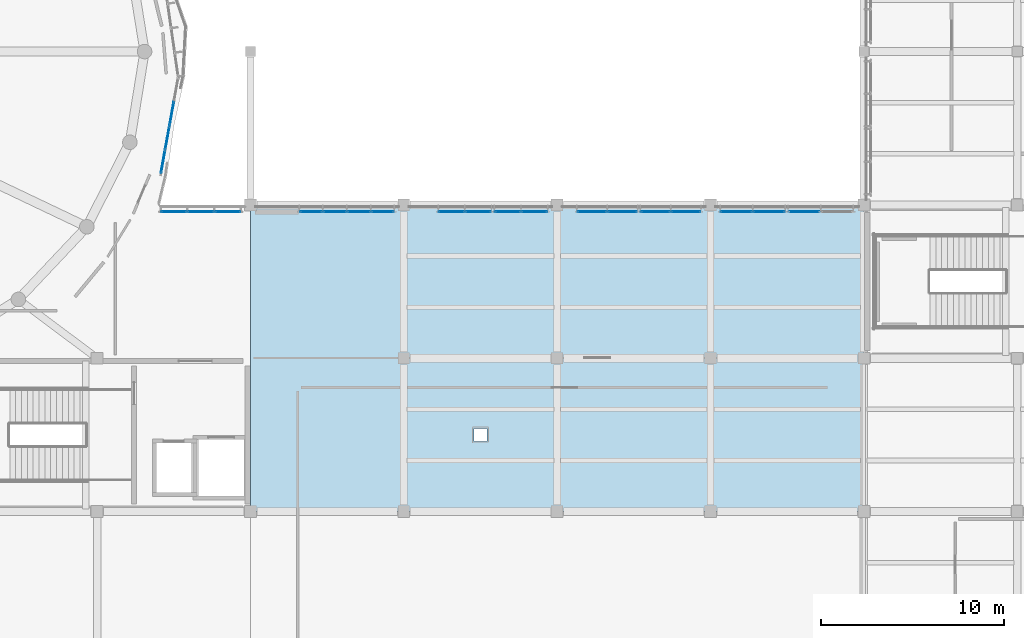
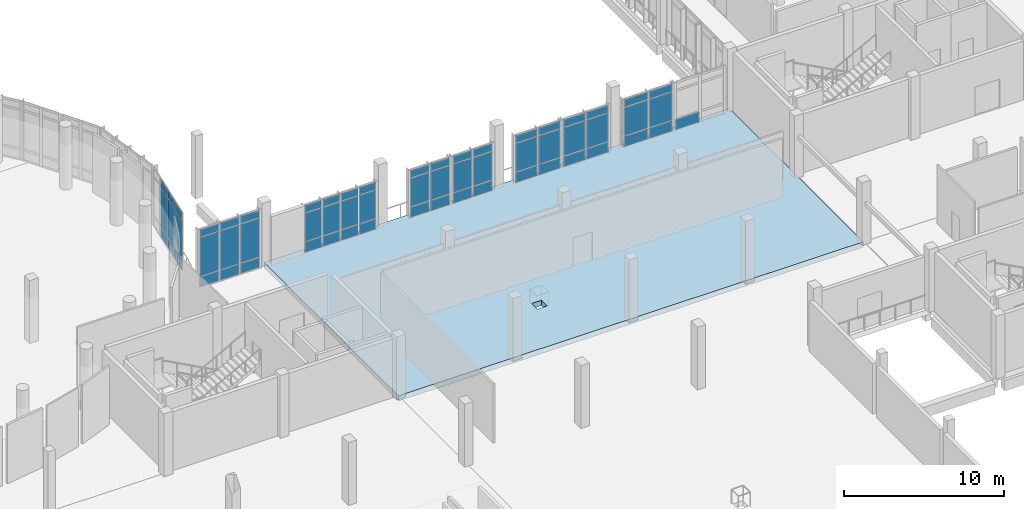
# One storey, part 34 of 63: 61 plates, 1 slab, 9 elements without a shape of their own.
"""IFC4 building model written with IfcOpenShell, lengths in metres."""

from ifc_helpers import new_model, si_unit, derived_unit, direction, frame, origin, origin_2d, place, context, subcontext, project, spatial, polyline, rectangle, outline, extrude, material, layer, layer_set, type_object, element, aggregate, save


model = new_model("IFC4")

# Units and contexts
model_context = context("Model", 3, precision=1e-05, world=origin(), true_north=direction((0.0, 1.0)))
body_context = subcontext(model_context, "Body", "Model", "MODEL_VIEW")
ifc_project = project(units=[si_unit("LENGTHUNIT", "METRE"), si_unit("AREAUNIT", "SQUARE_METRE"), si_unit("VOLUMEUNIT", "CUBIC_METRE"), si_unit("PLANEANGLEUNIT", "RADIAN"), si_unit("MASSUNIT", "GRAM", prefix="KILO"), derived_unit("THERMALTRANSMITTANCEUNIT", [(si_unit("POWERUNIT", "WATT"), 1), (si_unit("LENGTHUNIT", "METRE"), -2), (si_unit("THERMODYNAMICTEMPERATUREUNIT", "KELVIN"), -1)])], contexts=[model_context])

# Site, building, storey
site_placement = place(None, origin())
site = spatial("IfcSite", under=ifc_project, at=site_placement, CompositionType="ELEMENT")
building_placement = place(site_placement, origin())
building = spatial("IfcBuilding", under=site, at=building_placement, Name="Elbkamm Science Centre", CompositionType="ELEMENT")
storey_placement = place(building_placement, frame((0.0, 0.0, 5.10009765625)))
storey = spatial("IfcBuildingStorey", under=building, at=storey_placement, Name="L01", CompositionType="ELEMENT", Elevation=5.10009765625)

# Curtain wall, plates
ifc_material_1 = material(Name="Powder-coated aluminium and triple low-E glazing", Category="aluminium")
ifc_layer_1 = layer(ifc_material_1, 0.159912109375)
ifc_layer_set_1 = layer_set([ifc_layer_1], Name="Powder-coated aluminium and triple low-E glazing")
curtain_wall_type_1 = type_object("IfcCurtainWallType", Name="CW-UNIT-5400x4500", PredefinedType="USERDEFINED", material=ifc_layer_set_1)
curtain_wall_1_placement = place(storey_placement, origin())
curtain_wall_1 = element("IfcCurtainWall", 1, at=curtain_wall_1_placement, inside=storey, type_object=curtain_wall_type_1, Name="L01 Unitised Curtain Wall 015", ObjectType="UNITISED CURTAIN WALL", PredefinedType="USERDEFINED")
ifc_material_2 = material(Name="Triple solar-control insulated safety glass", Category="glass")
ifc_layer_2 = layer(ifc_material_2, 0.048095703125)
ifc_layer_set_2 = layer_set([ifc_layer_2], Name="Triple solar-control insulated safety glass")
plate_type = type_object("IfcPlateType", Name="CW-PNL-48", PredefinedType="CURTAIN_PANEL", material=ifc_layer_set_2)
plate_1_placement = place(storey_placement, frame((87.611083984375, 61.162841796875, 0.06982421875), z_axis=(0.0, 0.0, 1.0), x_axis=(0.178003010042, 0.984029942845, 0.0)))
plate_1 = element("IfcPlate", 2, at=plate_1_placement, type_object=plate_type, Name="CW-009 panel 1.1", PredefinedType="CURTAIN_PANEL", context=body_context, shape_type="SweptSolid", body=[
    extrude(rectangle(XDim=1.246337890625, YDim=0.048095703125, at=origin_2d()), origin(), (0.0, 0.0, 1.0), 0.7451171875),
])
plate_2_placement = place(storey_placement, frame((87.611083984375, 61.162841796875, 0.884765625), z_axis=(0.0, 0.0, 1.0), x_axis=(0.178003010042, 0.984029942845, 0.0)))
plate_2 = element("IfcPlate", 3, at=plate_2_placement, type_object=plate_type, Name="CW-009 panel 1.2", PredefinedType="CURTAIN_PANEL", context=body_context, shape_type="SweptSolid", body=[
    extrude(rectangle(XDim=1.246337890625, YDim=0.048095703125, at=origin_2d()), origin(), (0.0, 0.0, 1.0), 2.929931640625),
])
plate_3_placement = place(storey_placement, frame((87.611083984375, 61.162841796875, 3.885009765625), z_axis=(0.0, 0.0, 1.0), x_axis=(0.178003010042, 0.984029942845, 0.0)))
plate_3 = element("IfcPlate", 4, at=plate_3_placement, type_object=plate_type, Name="CW-009 panel 1.3", PredefinedType="CURTAIN_PANEL", context=body_context, shape_type="SweptSolid", body=[
    extrude(rectangle(XDim=1.246337890625, YDim=0.048095703125, at=origin_2d()), origin(), (0.0, 0.0, 1.0), 0.544921875),
])
plate_4_placement = place(storey_placement, frame((87.8486328125, 62.4755859375, 0.06982421875), z_axis=(0.0, 0.0, 1.0), x_axis=(0.178003010042, 0.984029942845, 0.0)))
plate_4 = element("IfcPlate", 5, at=plate_4_placement, type_object=plate_type, Name="CW-009 panel 2.1", PredefinedType="CURTAIN_PANEL", context=body_context, shape_type="SweptSolid", body=[
    extrude(rectangle(XDim=1.281494140625, YDim=0.048095703125, at=origin_2d()), origin(), (0.0, 0.0, 1.0), 0.7451171875),
])
plate_5_placement = place(storey_placement, frame((87.8486328125, 62.4755859375, 0.884765625), z_axis=(0.0, 0.0, 1.0), x_axis=(0.178003010042, 0.984029942845, 0.0)))
plate_5 = element("IfcPlate", 6, at=plate_5_placement, type_object=plate_type, Name="CW-009 panel 2.2", PredefinedType="CURTAIN_PANEL", context=body_context, shape_type="SweptSolid", body=[
    extrude(rectangle(XDim=1.281494140625, YDim=0.048095703125, at=origin_2d()), origin(), (0.0, 0.0, 1.0), 2.929931640625),
])
plate_6_placement = place(storey_placement, frame((87.8486328125, 62.4755859375, 3.885009765625), z_axis=(0.0, 0.0, 1.0), x_axis=(0.178003010042, 0.984029942845, 0.0)))
plate_6 = element("IfcPlate", 7, at=plate_6_placement, type_object=plate_type, Name="CW-009 panel 2.3", PredefinedType="CURTAIN_PANEL", context=body_context, shape_type="SweptSolid", body=[
    extrude(rectangle(XDim=1.281494140625, YDim=0.048095703125, at=origin_2d()), origin(), (0.0, 0.0, 1.0), 0.544921875),
])
plate_7_placement = place(storey_placement, frame((88.089111328125, 63.805419921875, 0.06982421875), z_axis=(0.0, 0.0, 1.0), x_axis=(0.178003010042, 0.984029942845, 0.0)))
plate_7 = element("IfcPlate", 8, at=plate_7_placement, type_object=plate_type, Name="CW-009 panel 3.1", PredefinedType="CURTAIN_PANEL", context=body_context, shape_type="SweptSolid", body=[
    extrude(rectangle(XDim=1.281494140625, YDim=0.048095703125, at=origin_2d()), origin(), (0.0, 0.0, 1.0), 0.7451171875),
])
plate_8_placement = place(storey_placement, frame((88.089111328125, 63.805419921875, 0.884765625), z_axis=(0.0, 0.0, 1.0), x_axis=(0.178003010042, 0.984029942845, 0.0)))
plate_8 = element("IfcPlate", 9, at=plate_8_placement, type_object=plate_type, Name="CW-009 panel 3.2", PredefinedType="CURTAIN_PANEL", context=body_context, shape_type="SweptSolid", body=[
    extrude(rectangle(XDim=1.281494140625, YDim=0.048095703125, at=origin_2d()), origin(), (0.0, 0.0, 1.0), 2.929931640625),
])
plate_9_placement = place(storey_placement, frame((88.089111328125, 63.805419921875, 3.885009765625), z_axis=(0.0, 0.0, 1.0), x_axis=(0.178003010042, 0.984029942845, 0.0)))
plate_9 = element("IfcPlate", 10, at=plate_9_placement, type_object=plate_type, Name="CW-009 panel 3.3", PredefinedType="CURTAIN_PANEL", context=body_context, shape_type="SweptSolid", body=[
    extrude(rectangle(XDim=1.281494140625, YDim=0.048095703125, at=origin_2d()), origin(), (0.0, 0.0, 1.0), 0.544921875),
])
aggregate(curtain_wall_1, [plate_1, plate_2, plate_3, plate_4, plate_5, plate_6, plate_7, plate_8, plate_9])

ifc_layer_3 = layer(ifc_material_1, 0.159912109375)
ifc_layer_set_3 = layer_set([ifc_layer_3], Name="Powder-coated aluminium and triple low-E glazing")
curtain_wall_type_2 = type_object("IfcCurtainWallType", Name="CW-UNIT-4480x4500", PredefinedType="USERDEFINED", material=ifc_layer_set_3)
curtain_wall_2_placement = place(storey_placement, origin())
curtain_wall_2 = element("IfcCurtainWall", 11, at=curtain_wall_2_placement, inside=storey, type_object=curtain_wall_type_2, Name="L01 Unitised Curtain Wall 147", ObjectType="UNITISED CURTAIN WALL", PredefinedType="USERDEFINED")
plate_10_placement = place(storey_placement, frame((88.205322265625, 58.419921875, 0.06982421875), z_axis=(0.0, 0.0, 1.0), x_axis=(1.0, 0.0, 0.0)))
plate_10 = element("IfcPlate", 12, at=plate_10_placement, type_object=plate_type, Name="CW-069 panel 1.1", PredefinedType="CURTAIN_PANEL", context=body_context, shape_type="SweptSolid", body=[
    extrude(rectangle(XDim=1.38525390625, YDim=0.048095703125, at=origin_2d()), origin(), (0.0, 0.0, 1.0), 0.7451171875),
])
plate_11_placement = place(storey_placement, frame((88.205322265625, 58.419921875, 0.884765625), z_axis=(0.0, 0.0, 1.0), x_axis=(1.0, 0.0, 0.0)))
plate_11 = element("IfcPlate", 13, at=plate_11_placement, type_object=plate_type, Name="CW-069 panel 1.2", PredefinedType="CURTAIN_PANEL", context=body_context, shape_type="SweptSolid", body=[
    extrude(rectangle(XDim=1.38525390625, YDim=0.048095703125, at=origin_2d()), origin(), (0.0, 0.0, 1.0), 2.929931640625),
])
plate_12_placement = place(storey_placement, frame((88.205322265625, 58.419921875, 3.885009765625), z_axis=(0.0, 0.0, 1.0), x_axis=(1.0, 0.0, 0.0)))
plate_12 = element("IfcPlate", 14, at=plate_12_placement, type_object=plate_type, Name="CW-069 panel 1.3", PredefinedType="CURTAIN_PANEL", context=body_context, shape_type="SweptSolid", body=[
    extrude(rectangle(XDim=1.38525390625, YDim=0.048095703125, at=origin_2d()), origin(), (0.0, 0.0, 1.0), 0.544921875),
])
plate_13_placement = place(storey_placement, frame((89.67822265625, 58.419921875, 0.06982421875), z_axis=(0.0, 0.0, 1.0), x_axis=(1.0, 0.0, 0.0)))
plate_13 = element("IfcPlate", 15, at=plate_13_placement, type_object=plate_type, Name="CW-069 panel 2.1", PredefinedType="CURTAIN_PANEL", context=body_context, shape_type="SweptSolid", body=[
    extrude(rectangle(XDim=1.42041015625, YDim=0.048095703125, at=origin_2d()), origin(), (0.0, 0.0, 1.0), 0.7451171875),
])
plate_14_placement = place(storey_placement, frame((89.67822265625, 58.419921875, 0.884765625), z_axis=(0.0, 0.0, 1.0), x_axis=(1.0, 0.0, 0.0)))
plate_14 = element("IfcPlate", 16, at=plate_14_placement, type_object=plate_type, Name="CW-069 panel 2.2", PredefinedType="CURTAIN_PANEL", context=body_context, shape_type="SweptSolid", body=[
    extrude(rectangle(XDim=1.42041015625, YDim=0.048095703125, at=origin_2d()), origin(), (0.0, 0.0, 1.0), 2.929931640625),
])
plate_15_placement = place(storey_placement, frame((89.67822265625, 58.419921875, 3.885009765625), z_axis=(0.0, 0.0, 1.0), x_axis=(1.0, 0.0, 0.0)))
plate_15 = element("IfcPlate", 17, at=plate_15_placement, type_object=plate_type, Name="CW-069 panel 2.3", PredefinedType="CURTAIN_PANEL", context=body_context, shape_type="SweptSolid", body=[
    extrude(rectangle(XDim=1.42041015625, YDim=0.048095703125, at=origin_2d()), origin(), (0.0, 0.0, 1.0), 0.544921875),
])
plate_16_placement = place(storey_placement, frame((91.151123046875, 58.419921875, 0.06982421875), z_axis=(0.0, 0.0, 1.0), x_axis=(1.0, 0.0, 0.0)))
plate_16 = element("IfcPlate", 18, at=plate_16_placement, type_object=plate_type, Name="CW-069 panel 3.1", PredefinedType="CURTAIN_PANEL", context=body_context, shape_type="SweptSolid", body=[
    extrude(rectangle(XDim=1.38525390625, YDim=0.048095703125, at=origin_2d()), origin(), (0.0, 0.0, 1.0), 0.7451171875),
])
plate_17_placement = place(storey_placement, frame((91.151123046875, 58.419921875, 0.884765625), z_axis=(0.0, 0.0, 1.0), x_axis=(1.0, 0.0, 0.0)))
plate_17 = element("IfcPlate", 19, at=plate_17_placement, type_object=plate_type, Name="CW-069 panel 3.2", PredefinedType="CURTAIN_PANEL", context=body_context, shape_type="SweptSolid", body=[
    extrude(rectangle(XDim=1.38525390625, YDim=0.048095703125, at=origin_2d()), origin(), (0.0, 0.0, 1.0), 2.929931640625),
])
plate_18_placement = place(storey_placement, frame((91.151123046875, 58.419921875, 3.885009765625), z_axis=(0.0, 0.0, 1.0), x_axis=(1.0, 0.0, 0.0)))
plate_18 = element("IfcPlate", 20, at=plate_18_placement, type_object=plate_type, Name="CW-069 panel 3.3", PredefinedType="CURTAIN_PANEL", context=body_context, shape_type="SweptSolid", body=[
    extrude(rectangle(XDim=1.38525390625, YDim=0.048095703125, at=origin_2d()), origin(), (0.0, 0.0, 1.0), 0.544921875),
])
aggregate(curtain_wall_2, [plate_10, plate_11, plate_12, plate_13, plate_14, plate_15, plate_16, plate_17, plate_18])

ifc_layer_4 = layer(ifc_material_1, 0.159912109375)
ifc_layer_set_4 = layer_set([ifc_layer_4], Name="Powder-coated aluminium and triple low-E glazing")
curtain_wall_type_3 = type_object("IfcCurtainWallType", Name="CW-UNIT-5260x3700", PredefinedType="USERDEFINED", material=ifc_layer_set_4)
curtain_wall_3_placement = place(storey_placement, origin())
curtain_wall_3 = element("IfcCurtainWall", 21, at=curtain_wall_3_placement, inside=storey, type_object=curtain_wall_type_3, Name="L01 Unitised Curtain Wall 148", ObjectType="UNITISED CURTAIN WALL", PredefinedType="USERDEFINED")
plate_19_placement = place(storey_placement, frame((95.72021484375, 58.419921875, 0.06982421875), z_axis=(0.0, 0.0, 1.0), x_axis=(1.0, 0.0, 0.0)))
plate_19 = element("IfcPlate", 22, at=plate_19_placement, type_object=plate_type, Name="CW-070 panel 1.1", PredefinedType="CURTAIN_PANEL", context=body_context, shape_type="SweptSolid", body=[
    extrude(rectangle(XDim=1.21240234375, YDim=0.048095703125, at=origin_2d()), origin(), (0.0, 0.0, 1.0), 0.7451171875),
])
plate_20_placement = place(storey_placement, frame((95.72021484375, 58.419921875, 0.885009765625), z_axis=(0.0, 0.0, 1.0), x_axis=(1.0, 0.0, 0.0)))
plate_20 = element("IfcPlate", 23, at=plate_20_placement, type_object=plate_type, Name="CW-070 panel 1.2", PredefinedType="CURTAIN_PANEL", context=body_context, shape_type="SweptSolid", body=[
    extrude(rectangle(XDim=1.21240234375, YDim=0.048095703125, at=origin_2d()), origin(), (0.0, 0.0, 1.0), 2.1298828125),
])
plate_21_placement = place(storey_placement, frame((95.72021484375, 58.419921875, 3.0849609375), z_axis=(0.0, 0.0, 1.0), x_axis=(1.0, 0.0, 0.0)))
plate_21 = element("IfcPlate", 24, at=plate_21_placement, type_object=plate_type, Name="CW-070 panel 1.3", PredefinedType="CURTAIN_PANEL", context=body_context, shape_type="SweptSolid", body=[
    extrude(rectangle(XDim=1.21240234375, YDim=0.048095703125, at=origin_2d()), origin(), (0.0, 0.0, 1.0), 0.544921875),
])
plate_22_placement = place(storey_placement, frame((97.020263671875, 58.419921875, 0.06982421875), z_axis=(0.0, 0.0, 1.0), x_axis=(1.0, 0.0, 0.0)))
plate_22 = element("IfcPlate", 25, at=plate_22_placement, type_object=plate_type, Name="CW-070 panel 2.1", PredefinedType="CURTAIN_PANEL", context=body_context, shape_type="SweptSolid", body=[
    extrude(rectangle(XDim=1.247314453125, YDim=0.048095703125, at=origin_2d()), origin(), (0.0, 0.0, 1.0), 0.7451171875),
])
plate_23_placement = place(storey_placement, frame((97.020263671875, 58.419921875, 0.885009765625), z_axis=(0.0, 0.0, 1.0), x_axis=(1.0, 0.0, 0.0)))
plate_23 = element("IfcPlate", 26, at=plate_23_placement, type_object=plate_type, Name="CW-070 panel 2.2", PredefinedType="CURTAIN_PANEL", context=body_context, shape_type="SweptSolid", body=[
    extrude(rectangle(XDim=1.247314453125, YDim=0.048095703125, at=origin_2d()), origin(), (0.0, 0.0, 1.0), 2.1298828125),
])
plate_24_placement = place(storey_placement, frame((97.020263671875, 58.419921875, 3.0849609375), z_axis=(0.0, 0.0, 1.0), x_axis=(1.0, 0.0, 0.0)))
plate_24 = element("IfcPlate", 27, at=plate_24_placement, type_object=plate_type, Name="CW-070 panel 2.3", PredefinedType="CURTAIN_PANEL", context=body_context, shape_type="SweptSolid", body=[
    extrude(rectangle(XDim=1.247314453125, YDim=0.048095703125, at=origin_2d()), origin(), (0.0, 0.0, 1.0), 0.544921875),
])
plate_25_placement = place(storey_placement, frame((98.337646484375, 58.419921875, 0.06982421875), z_axis=(0.0, 0.0, 1.0), x_axis=(1.0, 0.0, 0.0)))
plate_25 = element("IfcPlate", 28, at=plate_25_placement, type_object=plate_type, Name="CW-070 panel 3.1", PredefinedType="CURTAIN_PANEL", context=body_context, shape_type="SweptSolid", body=[
    extrude(rectangle(XDim=1.247314453125, YDim=0.048095703125, at=origin_2d()), origin(), (0.0, 0.0, 1.0), 0.7451171875),
])
plate_26_placement = place(storey_placement, frame((98.337646484375, 58.419921875, 0.885009765625), z_axis=(0.0, 0.0, 1.0), x_axis=(1.0, 0.0, 0.0)))
plate_26 = element("IfcPlate", 29, at=plate_26_placement, type_object=plate_type, Name="CW-070 panel 3.2", PredefinedType="CURTAIN_PANEL", context=body_context, shape_type="SweptSolid", body=[
    extrude(rectangle(XDim=1.247314453125, YDim=0.048095703125, at=origin_2d()), origin(), (0.0, 0.0, 1.0), 2.1298828125),
])
plate_27_placement = place(storey_placement, frame((98.337646484375, 58.419921875, 3.0849609375), z_axis=(0.0, 0.0, 1.0), x_axis=(1.0, 0.0, 0.0)))
plate_27 = element("IfcPlate", 30, at=plate_27_placement, type_object=plate_type, Name="CW-070 panel 3.3", PredefinedType="CURTAIN_PANEL", context=body_context, shape_type="SweptSolid", body=[
    extrude(rectangle(XDim=1.247314453125, YDim=0.048095703125, at=origin_2d()), origin(), (0.0, 0.0, 1.0), 0.544921875),
])
plate_28_placement = place(storey_placement, frame((99.637451171875, 58.419921875, 0.06982421875), z_axis=(0.0, 0.0, 1.0), x_axis=(1.0, 0.0, 0.0)))
plate_28 = element("IfcPlate", 31, at=plate_28_placement, type_object=plate_type, Name="CW-070 panel 4.1", PredefinedType="CURTAIN_PANEL", context=body_context, shape_type="SweptSolid", body=[
    extrude(rectangle(XDim=1.21240234375, YDim=0.048095703125, at=origin_2d()), origin(), (0.0, 0.0, 1.0), 0.7451171875),
])
plate_29_placement = place(storey_placement, frame((99.637451171875, 58.419921875, 0.885009765625), z_axis=(0.0, 0.0, 1.0), x_axis=(1.0, 0.0, 0.0)))
plate_29 = element("IfcPlate", 32, at=plate_29_placement, type_object=plate_type, Name="CW-070 panel 4.2", PredefinedType="CURTAIN_PANEL", context=body_context, shape_type="SweptSolid", body=[
    extrude(rectangle(XDim=1.21240234375, YDim=0.048095703125, at=origin_2d()), origin(), (0.0, 0.0, 1.0), 2.1298828125),
])
plate_30_placement = place(storey_placement, frame((99.637451171875, 58.419921875, 3.0849609375), z_axis=(0.0, 0.0, 1.0), x_axis=(1.0, 0.0, 0.0)))
plate_30 = element("IfcPlate", 33, at=plate_30_placement, type_object=plate_type, Name="CW-070 panel 4.3", PredefinedType="CURTAIN_PANEL", context=body_context, shape_type="SweptSolid", body=[
    extrude(rectangle(XDim=1.21240234375, YDim=0.048095703125, at=origin_2d()), origin(), (0.0, 0.0, 1.0), 0.544921875),
])
aggregate(curtain_wall_3, [plate_19, plate_20, plate_21, plate_22, plate_23, plate_24, plate_25, plate_26, plate_27, plate_28, plate_29, plate_30])

ifc_layer_5 = layer(ifc_material_1, 0.159912109375)
ifc_layer_set_5 = layer_set([ifc_layer_5], Name="Powder-coated aluminium and triple low-E glazing")
curtain_wall_type_4 = type_object("IfcCurtainWallType", Name="CW-UNIT-3000x3700", PredefinedType="USERDEFINED", material=ifc_layer_set_5)
curtain_wall_4_placement = place(storey_placement, origin())
curtain_wall_4 = element("IfcCurtainWall", 34, at=curtain_wall_4_placement, inside=storey, type_object=curtain_wall_type_4, Name="L01 Unitised Curtain Wall 149", ObjectType="UNITISED CURTAIN WALL", PredefinedType="USERDEFINED")
plate_31_placement = place(storey_placement, frame((103.41162109375, 58.419921875, 0.06982421875), z_axis=(0.0, 0.0, 1.0), x_axis=(1.0, 0.0, 0.0)))
plate_31 = element("IfcPlate", 35, at=plate_31_placement, type_object=plate_type, Name="CW-071 panel 1.1", PredefinedType="CURTAIN_PANEL", context=body_context, shape_type="SweptSolid", body=[
    extrude(rectangle(XDim=1.39208984375, YDim=0.048095703125, at=origin_2d()), origin(), (0.0, 0.0, 1.0), 0.7451171875),
])
plate_32_placement = place(storey_placement, frame((103.41162109375, 58.419921875, 0.885009765625), z_axis=(0.0, 0.0, 1.0), x_axis=(1.0, 0.0, 0.0)))
plate_32 = element("IfcPlate", 36, at=plate_32_placement, type_object=plate_type, Name="CW-071 panel 1.2", PredefinedType="CURTAIN_PANEL", context=body_context, shape_type="SweptSolid", body=[
    extrude(rectangle(XDim=1.39208984375, YDim=0.048095703125, at=origin_2d()), origin(), (0.0, 0.0, 1.0), 2.1298828125),
])
plate_33_placement = place(storey_placement, frame((103.41162109375, 58.419921875, 3.0849609375), z_axis=(0.0, 0.0, 1.0), x_axis=(1.0, 0.0, 0.0)))
plate_33 = element("IfcPlate", 37, at=plate_33_placement, type_object=plate_type, Name="CW-071 panel 1.3", PredefinedType="CURTAIN_PANEL", context=body_context, shape_type="SweptSolid", body=[
    extrude(rectangle(XDim=1.39208984375, YDim=0.048095703125, at=origin_2d()), origin(), (0.0, 0.0, 1.0), 0.544921875),
])
plate_34_placement = place(storey_placement, frame((104.87353515625, 58.419921875, 0.06982421875), z_axis=(0.0, 0.0, 1.0), x_axis=(1.0, 0.0, 0.0)))
plate_34 = element("IfcPlate", 38, at=plate_34_placement, type_object=plate_type, Name="CW-071 panel 2.1", PredefinedType="CURTAIN_PANEL", context=body_context, shape_type="SweptSolid", body=[
    extrude(rectangle(XDim=1.39208984375, YDim=0.048095703125, at=origin_2d()), origin(), (0.0, 0.0, 1.0), 0.7451171875),
])
plate_35_placement = place(storey_placement, frame((104.87353515625, 58.419921875, 0.885009765625), z_axis=(0.0, 0.0, 1.0), x_axis=(1.0, 0.0, 0.0)))
plate_35 = element("IfcPlate", 39, at=plate_35_placement, type_object=plate_type, Name="CW-071 panel 2.2", PredefinedType="CURTAIN_PANEL", context=body_context, shape_type="SweptSolid", body=[
    extrude(rectangle(XDim=1.39208984375, YDim=0.048095703125, at=origin_2d()), origin(), (0.0, 0.0, 1.0), 2.1298828125),
])
plate_36_placement = place(storey_placement, frame((104.87353515625, 58.419921875, 3.0849609375), z_axis=(0.0, 0.0, 1.0), x_axis=(1.0, 0.0, 0.0)))
plate_36 = element("IfcPlate", 40, at=plate_36_placement, type_object=plate_type, Name="CW-071 panel 2.3", PredefinedType="CURTAIN_PANEL", context=body_context, shape_type="SweptSolid", body=[
    extrude(rectangle(XDim=1.39208984375, YDim=0.048095703125, at=origin_2d()), origin(), (0.0, 0.0, 1.0), 0.544921875),
])
aggregate(curtain_wall_4, [plate_31, plate_32, plate_33, plate_34, plate_35, plate_36])

curtain_wall_5_placement = place(storey_placement, origin())
curtain_wall_5 = element("IfcCurtainWall", 41, at=curtain_wall_5_placement, inside=storey, type_object=curtain_wall_type_4, Name="L01 Unitised Curtain Wall 150", ObjectType="UNITISED CURTAIN WALL", PredefinedType="USERDEFINED")
plate_37_placement = place(storey_placement, frame((106.485595703125, 58.419921875, 0.06982421875), z_axis=(0.0, 0.0, 1.0), x_axis=(1.0, 0.0, 0.0)))
plate_37 = element("IfcPlate", 42, at=plate_37_placement, type_object=plate_type, Name="CW-071 panel 1.1", PredefinedType="CURTAIN_PANEL", context=body_context, shape_type="SweptSolid", body=[
    extrude(rectangle(XDim=1.39208984375, YDim=0.048095703125, at=origin_2d()), origin(), (0.0, 0.0, 1.0), 0.7451171875),
])
plate_38_placement = place(storey_placement, frame((106.485595703125, 58.419921875, 0.885009765625), z_axis=(0.0, 0.0, 1.0), x_axis=(1.0, 0.0, 0.0)))
plate_38 = element("IfcPlate", 43, at=plate_38_placement, type_object=plate_type, Name="CW-071 panel 1.2", PredefinedType="CURTAIN_PANEL", context=body_context, shape_type="SweptSolid", body=[
    extrude(rectangle(XDim=1.39208984375, YDim=0.048095703125, at=origin_2d()), origin(), (0.0, 0.0, 1.0), 2.1298828125),
])
plate_39_placement = place(storey_placement, frame((106.485595703125, 58.419921875, 3.0849609375), z_axis=(0.0, 0.0, 1.0), x_axis=(1.0, 0.0, 0.0)))
plate_39 = element("IfcPlate", 44, at=plate_39_placement, type_object=plate_type, Name="CW-071 panel 1.3", PredefinedType="CURTAIN_PANEL", context=body_context, shape_type="SweptSolid", body=[
    extrude(rectangle(XDim=1.39208984375, YDim=0.048095703125, at=origin_2d()), origin(), (0.0, 0.0, 1.0), 0.544921875),
])
plate_40_placement = place(storey_placement, frame((107.94775390625, 58.419921875, 0.06982421875), z_axis=(0.0, 0.0, 1.0), x_axis=(1.0, 0.0, 0.0)))
plate_40 = element("IfcPlate", 45, at=plate_40_placement, type_object=plate_type, Name="CW-071 panel 2.1", PredefinedType="CURTAIN_PANEL", context=body_context, shape_type="SweptSolid", body=[
    extrude(rectangle(XDim=1.39208984375, YDim=0.048095703125, at=origin_2d()), origin(), (0.0, 0.0, 1.0), 0.7451171875),
])
plate_41_placement = place(storey_placement, frame((107.94775390625, 58.419921875, 0.885009765625), z_axis=(0.0, 0.0, 1.0), x_axis=(1.0, 0.0, 0.0)))
plate_41 = element("IfcPlate", 46, at=plate_41_placement, type_object=plate_type, Name="CW-071 panel 2.2", PredefinedType="CURTAIN_PANEL", context=body_context, shape_type="SweptSolid", body=[
    extrude(rectangle(XDim=1.39208984375, YDim=0.048095703125, at=origin_2d()), origin(), (0.0, 0.0, 1.0), 2.1298828125),
])
plate_42_placement = place(storey_placement, frame((107.94775390625, 58.419921875, 3.0849609375), z_axis=(0.0, 0.0, 1.0), x_axis=(1.0, 0.0, 0.0)))
plate_42 = element("IfcPlate", 47, at=plate_42_placement, type_object=plate_type, Name="CW-071 panel 2.3", PredefinedType="CURTAIN_PANEL", context=body_context, shape_type="SweptSolid", body=[
    extrude(rectangle(XDim=1.39208984375, YDim=0.048095703125, at=origin_2d()), origin(), (0.0, 0.0, 1.0), 0.544921875),
])
aggregate(curtain_wall_5, [plate_37, plate_38, plate_39, plate_40, plate_41, plate_42])

ifc_layer_6 = layer(ifc_material_1, 0.159912109375)
ifc_layer_set_6 = layer_set([ifc_layer_6], Name="Powder-coated aluminium and triple low-E glazing")
curtain_wall_type_5 = type_object("IfcCurtainWallType", Name="CW-UNIT-3400x3700", PredefinedType="USERDEFINED", material=ifc_layer_set_6)
curtain_wall_6_placement = place(storey_placement, origin())
curtain_wall_6 = element("IfcCurtainWall", 48, at=curtain_wall_6_placement, inside=storey, type_object=curtain_wall_type_5, Name="L01 Unitised Curtain Wall 151", ObjectType="UNITISED CURTAIN WALL", PredefinedType="USERDEFINED")
plate_43_placement = place(storey_placement, frame((111.11279296875, 58.419921875, 0.06982421875), z_axis=(0.0, 0.0, 1.0), x_axis=(1.0, 0.0, 0.0)))
plate_43 = element("IfcPlate", 49, at=plate_43_placement, type_object=plate_type, Name="CW-072 panel 1.1", PredefinedType="CURTAIN_PANEL", context=body_context, shape_type="SweptSolid", body=[
    extrude(rectangle(XDim=1.591552734375, YDim=0.048095703125, at=origin_2d()), origin(), (0.0, 0.0, 1.0), 0.7451171875),
])
plate_44_placement = place(storey_placement, frame((111.11279296875, 58.419921875, 0.885009765625), z_axis=(0.0, 0.0, 1.0), x_axis=(1.0, 0.0, 0.0)))
plate_44 = element("IfcPlate", 50, at=plate_44_placement, type_object=plate_type, Name="CW-072 panel 1.2", PredefinedType="CURTAIN_PANEL", context=body_context, shape_type="SweptSolid", body=[
    extrude(rectangle(XDim=1.591552734375, YDim=0.048095703125, at=origin_2d()), origin(), (0.0, 0.0, 1.0), 2.1298828125),
])
plate_45_placement = place(storey_placement, frame((111.11279296875, 58.419921875, 3.0849609375), z_axis=(0.0, 0.0, 1.0), x_axis=(1.0, 0.0, 0.0)))
plate_45 = element("IfcPlate", 51, at=plate_45_placement, type_object=plate_type, Name="CW-072 panel 1.3", PredefinedType="CURTAIN_PANEL", context=body_context, shape_type="SweptSolid", body=[
    extrude(rectangle(XDim=1.591552734375, YDim=0.048095703125, at=origin_2d()), origin(), (0.0, 0.0, 1.0), 0.544921875),
])
plate_46_placement = place(storey_placement, frame((112.7744140625, 58.419921875, 0.06982421875), z_axis=(0.0, 0.0, 1.0), x_axis=(1.0, 0.0, 0.0)))
plate_46 = element("IfcPlate", 52, at=plate_46_placement, type_object=plate_type, Name="CW-072 panel 2.1", PredefinedType="CURTAIN_PANEL", context=body_context, shape_type="SweptSolid", body=[
    extrude(rectangle(XDim=1.591552734375, YDim=0.048095703125, at=origin_2d()), origin(), (0.0, 0.0, 1.0), 0.7451171875),
])
plate_47_placement = place(storey_placement, frame((112.7744140625, 58.419921875, 0.885009765625), z_axis=(0.0, 0.0, 1.0), x_axis=(1.0, 0.0, 0.0)))
plate_47 = element("IfcPlate", 53, at=plate_47_placement, type_object=plate_type, Name="CW-072 panel 2.2", PredefinedType="CURTAIN_PANEL", context=body_context, shape_type="SweptSolid", body=[
    extrude(rectangle(XDim=1.591552734375, YDim=0.048095703125, at=origin_2d()), origin(), (0.0, 0.0, 1.0), 2.1298828125),
])
plate_48_placement = place(storey_placement, frame((112.7744140625, 58.419921875, 3.0849609375), z_axis=(0.0, 0.0, 1.0), x_axis=(1.0, 0.0, 0.0)))
plate_48 = element("IfcPlate", 54, at=plate_48_placement, type_object=plate_type, Name="CW-072 panel 2.3", PredefinedType="CURTAIN_PANEL", context=body_context, shape_type="SweptSolid", body=[
    extrude(rectangle(XDim=1.591552734375, YDim=0.048095703125, at=origin_2d()), origin(), (0.0, 0.0, 1.0), 0.544921875),
])
aggregate(curtain_wall_6, [plate_43, plate_44, plate_45, plate_46, plate_47, plate_48])

curtain_wall_7_placement = place(storey_placement, origin())
curtain_wall_7 = element("IfcCurtainWall", 55, at=curtain_wall_7_placement, inside=storey, type_object=curtain_wall_type_5, Name="L01 Unitised Curtain Wall 152", ObjectType="UNITISED CURTAIN WALL", PredefinedType="USERDEFINED")
plate_49_placement = place(storey_placement, frame((114.586181640625, 58.419921875, 0.06982421875), z_axis=(0.0, 0.0, 1.0), x_axis=(1.0, 0.0, 0.0)))
plate_49 = element("IfcPlate", 56, at=plate_49_placement, type_object=plate_type, Name="CW-072 panel 1.1", PredefinedType="CURTAIN_PANEL", context=body_context, shape_type="SweptSolid", body=[
    extrude(rectangle(XDim=1.591552734375, YDim=0.048095703125, at=origin_2d()), origin(), (0.0, 0.0, 1.0), 0.7451171875),
])
plate_50_placement = place(storey_placement, frame((114.586181640625, 58.419921875, 0.885009765625), z_axis=(0.0, 0.0, 1.0), x_axis=(1.0, 0.0, 0.0)))
plate_50 = element("IfcPlate", 57, at=plate_50_placement, type_object=plate_type, Name="CW-072 panel 1.2", PredefinedType="CURTAIN_PANEL", context=body_context, shape_type="SweptSolid", body=[
    extrude(rectangle(XDim=1.591552734375, YDim=0.048095703125, at=origin_2d()), origin(), (0.0, 0.0, 1.0), 2.1298828125),
])
plate_51_placement = place(storey_placement, frame((114.586181640625, 58.419921875, 3.0849609375), z_axis=(0.0, 0.0, 1.0), x_axis=(1.0, 0.0, 0.0)))
plate_51 = element("IfcPlate", 58, at=plate_51_placement, type_object=plate_type, Name="CW-072 panel 1.3", PredefinedType="CURTAIN_PANEL", context=body_context, shape_type="SweptSolid", body=[
    extrude(rectangle(XDim=1.591552734375, YDim=0.048095703125, at=origin_2d()), origin(), (0.0, 0.0, 1.0), 0.544921875),
])
plate_52_placement = place(storey_placement, frame((116.247802734375, 58.419921875, 0.06982421875), z_axis=(0.0, 0.0, 1.0), x_axis=(1.0, 0.0, 0.0)))
plate_52 = element("IfcPlate", 59, at=plate_52_placement, type_object=plate_type, Name="CW-072 panel 2.1", PredefinedType="CURTAIN_PANEL", context=body_context, shape_type="SweptSolid", body=[
    extrude(rectangle(XDim=1.591552734375, YDim=0.048095703125, at=origin_2d()), origin(), (0.0, 0.0, 1.0), 0.7451171875),
])
plate_53_placement = place(storey_placement, frame((116.247802734375, 58.419921875, 0.885009765625), z_axis=(0.0, 0.0, 1.0), x_axis=(1.0, 0.0, 0.0)))
plate_53 = element("IfcPlate", 60, at=plate_53_placement, type_object=plate_type, Name="CW-072 panel 2.2", PredefinedType="CURTAIN_PANEL", context=body_context, shape_type="SweptSolid", body=[
    extrude(rectangle(XDim=1.591552734375, YDim=0.048095703125, at=origin_2d()), origin(), (0.0, 0.0, 1.0), 2.1298828125),
])
plate_54_placement = place(storey_placement, frame((116.247802734375, 58.419921875, 3.0849609375), z_axis=(0.0, 0.0, 1.0), x_axis=(1.0, 0.0, 0.0)))
plate_54 = element("IfcPlate", 61, at=plate_54_placement, type_object=plate_type, Name="CW-072 panel 2.3", PredefinedType="CURTAIN_PANEL", context=body_context, shape_type="SweptSolid", body=[
    extrude(rectangle(XDim=1.591552734375, YDim=0.048095703125, at=origin_2d()), origin(), (0.0, 0.0, 1.0), 0.544921875),
])
aggregate(curtain_wall_7, [plate_49, plate_50, plate_51, plate_52, plate_53, plate_54])

ifc_layer_7 = layer(ifc_material_1, 0.159912109375)
ifc_layer_set_7 = layer_set([ifc_layer_7], Name="Powder-coated aluminium and triple low-E glazing")
curtain_wall_type_6 = type_object("IfcCurtainWallType", Name="CW-UNIT-3640x3700", PredefinedType="USERDEFINED", material=ifc_layer_set_7)
curtain_wall_8_placement = place(storey_placement, origin())
curtain_wall_8 = element("IfcCurtainWall", 62, at=curtain_wall_8_placement, inside=storey, type_object=curtain_wall_type_6, Name="L01 Unitised Curtain Wall 153", ObjectType="UNITISED CURTAIN WALL", PredefinedType="USERDEFINED")
plate_55_placement = place(storey_placement, frame((119.01416015625, 58.419921875, 0.06982421875), z_axis=(0.0, 0.0, 1.0), x_axis=(1.0, 0.0, 0.0)))
plate_55 = element("IfcPlate", 63, at=plate_55_placement, type_object=plate_type, Name="CW-073 panel 1.1", PredefinedType="CURTAIN_PANEL", context=body_context, shape_type="SweptSolid", body=[
    extrude(rectangle(XDim=1.7158203125, YDim=0.048095703125, at=origin_2d()), origin(), (0.0, 0.0, 1.0), 0.7451171875),
])
plate_56_placement = place(storey_placement, frame((119.01416015625, 58.419921875, 0.885009765625), z_axis=(0.0, 0.0, 1.0), x_axis=(1.0, 0.0, 0.0)))
plate_56 = element("IfcPlate", 64, at=plate_56_placement, type_object=plate_type, Name="CW-073 panel 1.2", PredefinedType="CURTAIN_PANEL", context=body_context, shape_type="SweptSolid", body=[
    extrude(rectangle(XDim=1.7158203125, YDim=0.048095703125, at=origin_2d()), origin(), (0.0, 0.0, 1.0), 2.1298828125),
])
plate_57_placement = place(storey_placement, frame((119.01416015625, 58.419921875, 3.0849609375), z_axis=(0.0, 0.0, 1.0), x_axis=(1.0, 0.0, 0.0)))
plate_57 = element("IfcPlate", 65, at=plate_57_placement, type_object=plate_type, Name="CW-073 panel 1.3", PredefinedType="CURTAIN_PANEL", context=body_context, shape_type="SweptSolid", body=[
    extrude(rectangle(XDim=1.7158203125, YDim=0.048095703125, at=origin_2d()), origin(), (0.0, 0.0, 1.0), 0.544921875),
])
plate_58_placement = place(storey_placement, frame((120.800048828125, 58.419921875, 0.06982421875), z_axis=(0.0, 0.0, 1.0), x_axis=(1.0, 0.0, 0.0)))
plate_58 = element("IfcPlate", 66, at=plate_58_placement, type_object=plate_type, Name="CW-073 panel 2.1", PredefinedType="CURTAIN_PANEL", context=body_context, shape_type="SweptSolid", body=[
    extrude(rectangle(XDim=1.7158203125, YDim=0.048095703125, at=origin_2d()), origin(), (0.0, 0.0, 1.0), 0.7451171875),
])
plate_59_placement = place(storey_placement, frame((120.800048828125, 58.419921875, 0.885009765625), z_axis=(0.0, 0.0, 1.0), x_axis=(1.0, 0.0, 0.0)))
plate_59 = element("IfcPlate", 67, at=plate_59_placement, type_object=plate_type, Name="CW-073 panel 2.2", PredefinedType="CURTAIN_PANEL", context=body_context, shape_type="SweptSolid", body=[
    extrude(rectangle(XDim=1.7158203125, YDim=0.048095703125, at=origin_2d()), origin(), (0.0, 0.0, 1.0), 2.1298828125),
])
plate_60_placement = place(storey_placement, frame((120.800048828125, 58.419921875, 3.0849609375), z_axis=(0.0, 0.0, 1.0), x_axis=(1.0, 0.0, 0.0)))
plate_60 = element("IfcPlate", 68, at=plate_60_placement, type_object=plate_type, Name="CW-073 panel 2.3", PredefinedType="CURTAIN_PANEL", context=body_context, shape_type="SweptSolid", body=[
    extrude(rectangle(XDim=1.7158203125, YDim=0.048095703125, at=origin_2d()), origin(), (0.0, 0.0, 1.0), 0.544921875),
])
aggregate(curtain_wall_8, [plate_55, plate_56, plate_57, plate_58, plate_59, plate_60])

# Curtain wall, plate
curtain_wall_9_placement = place(storey_placement, origin())
curtain_wall_9 = element("IfcCurtainWall", 69, at=curtain_wall_9_placement, inside=storey, type_object=curtain_wall_type_6, Name="L01 Unitised Curtain Wall 154", ObjectType="UNITISED CURTAIN WALL", PredefinedType="USERDEFINED")
plate_61_placement = place(storey_placement, frame((122.736083984375, 58.419921875, 0.06982421875), z_axis=(0.0, 0.0, 1.0), x_axis=(1.0, 0.0, 0.0)))
plate_61 = element("IfcPlate", 70, at=plate_61_placement, type_object=plate_type, Name="CW-073 panel 1.1", PredefinedType="CURTAIN_PANEL", context=body_context, shape_type="SweptSolid", body=[
    extrude(rectangle(XDim=1.716064453125, YDim=0.048095703125, at=origin_2d()), origin(), (0.0, 0.0, 1.0), 0.7451171875),
])
aggregate(curtain_wall_9, [plate_61])

# Slab
ifc_material_3 = material(Name="Reinforced concrete C40/50", Category="concrete")
ifc_layer_8 = layer(ifc_material_3, 0.39990234375)
ifc_layer_set_8 = layer_set([ifc_layer_8], Name="Reinforced concrete C40/50")
slab_type = type_object("IfcSlabType", Name="SLAB-FLR-400", PredefinedType="FLOOR", material=ifc_layer_set_8)
slab_placement = place(storey_placement, frame((0.0, 0.0, -0.400146484375)))
element("IfcSlab", 71, at=slab_placement, inside=storey, type_object=slab_type, Name="L01 Structural Slab MM-07", PredefinedType="FLOOR", context=body_context, shape_type="SweptSolid", body=[
    extrude(outline(polyline([(125.97509765625, 42.0), (92.39990234375, 42.0), (92.39990234375, 58.800048828125), (125.97509765625, 58.800048828125), (125.97509765625, 42.0)]), holes=[polyline([(105.35009765625, 46.550048828125), (104.64990234375, 46.550048828125), (104.64990234375, 45.85009765625), (105.35009765625, 45.85009765625), (105.35009765625, 46.550048828125)])]), origin(), (0.0, 0.0, 1.0), 0.400146484375),
])

save(model, "model.ifc")
